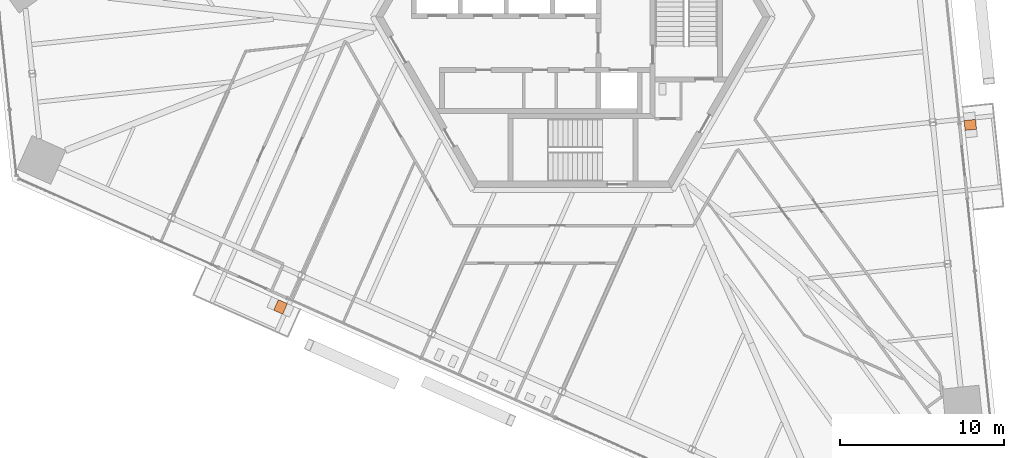
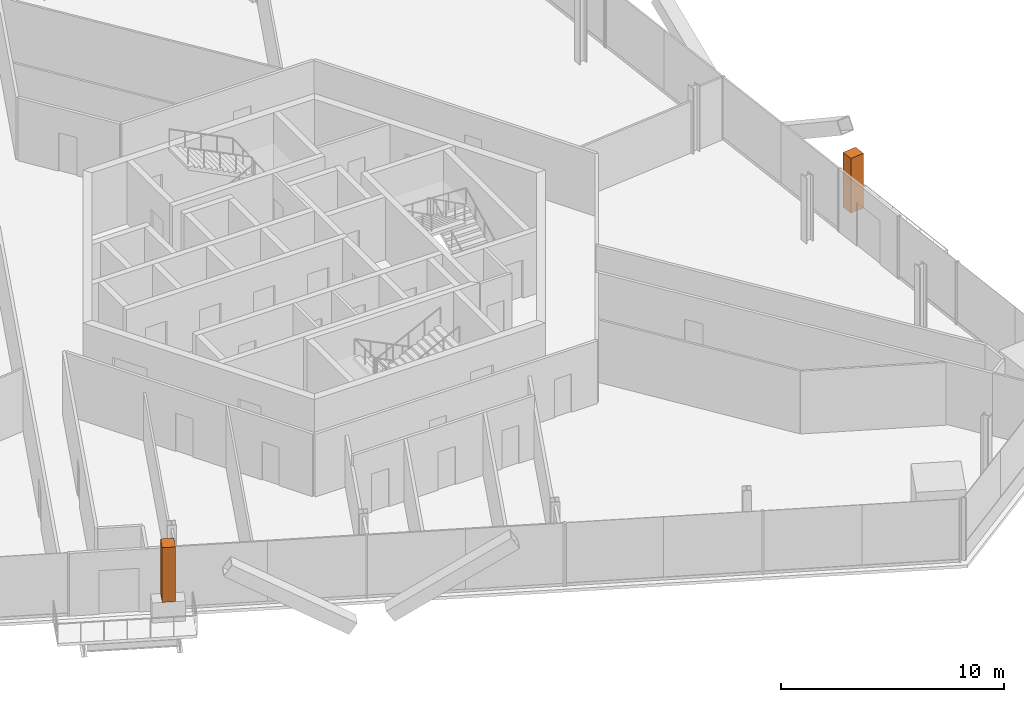
# One storey, part 19 of 19: 2 geographic elements.
"""IFC4 building model written with IfcOpenShell, lengths in metres."""

from ifc_helpers import new_model, si_unit, direction, frame, origin, origin_2d, place, context, subcontext, project, spatial, rectangle, extrude, source, transform, mapped, material, type_object, element, save


model = new_model("IFC4")

# Units and contexts
model_context = context("Model", 3, precision=1e-05, world=origin(), true_north=direction((0.0, 1.0)))
body_context = subcontext(model_context, "Body", "Model", "MODEL_VIEW")
ifc_project = project(units=[si_unit("LENGTHUNIT", "METRE"), si_unit("AREAUNIT", "SQUARE_METRE"), si_unit("VOLUMEUNIT", "CUBIC_METRE"), si_unit("PLANEANGLEUNIT", "RADIAN"), si_unit("MASSUNIT", "GRAM", prefix="KILO")], contexts=[model_context])

# Site, building, storey
site_placement = place(None, origin())
site = spatial("IfcSite", under=ifc_project, at=site_placement, CompositionType="ELEMENT")
building_placement = place(site_placement, origin())
building = spatial("IfcBuilding", under=site, at=building_placement, Name="Triune Harvest Tower", CompositionType="ELEMENT")
storey_placement = place(building_placement, frame((0.0, 0.0, 76.5)))
storey = spatial("IfcBuildingStorey", under=building, at=storey_placement, Name="L18", CompositionType="ELEMENT", Elevation=76.5)

# Geographic elements
ifc_material = material(Name="TREE-1 tree")
geographic_element_type = type_object("IfcGeographicElementType", Name="TREE-1 tree", PredefinedType="USERDEFINED", material=ifc_material)
shared_shape = source(origin(), body_context, "Body", "SweptSolid", [
    extrude(rectangle(XDim=0.60009765625, YDim=0.699951171875, at=origin_2d()), origin(), (0.0, 0.0, 1.0), 3.0),
])
for number, where, z_axis, x_axis, name in (
    (1, (24.167236328125, -6.57373046875, 1.10009765625), (0.0, 0.0, 1.0), (-0.104527536558, 0.994521992769, 0.0), "Tree B2-F1 L18.4b"),
    (2, (-17.776611328125, -17.642578125, 1.10009765625), (0.0, 0.0, 1.0), (0.913545207137, -0.406737205721, 0.0), "Tree B2-F5 L18.4b"),
):
    element("IfcGeographicElement", number, at=place(storey_placement, frame(where, z_axis=z_axis, x_axis=x_axis)), inside=storey, type_object=geographic_element_type, Name=name, ObjectType="TREE", PredefinedType="USERDEFINED", context=body_context, shape_type="MappedRepresentation", body=[
        mapped(shared_shape, transform((0.0, 0.0, 0.0), scale=1.0)),
    ])

save(model, "model.ifc")
